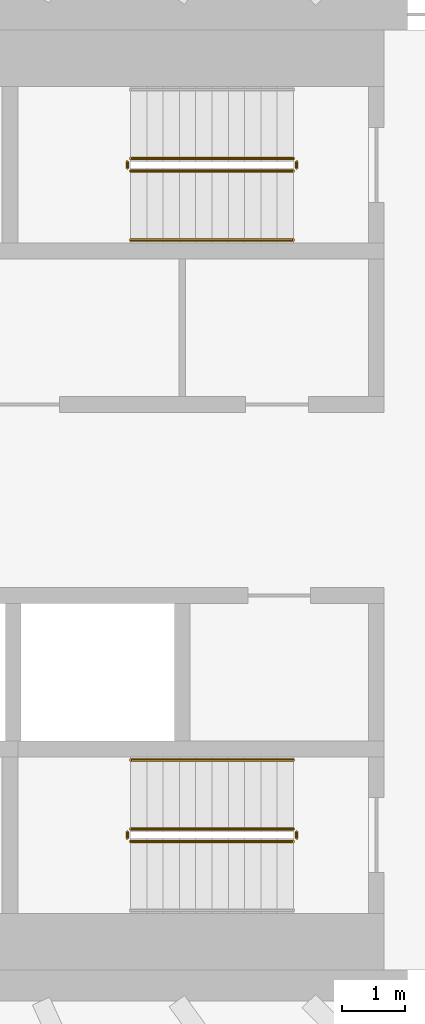
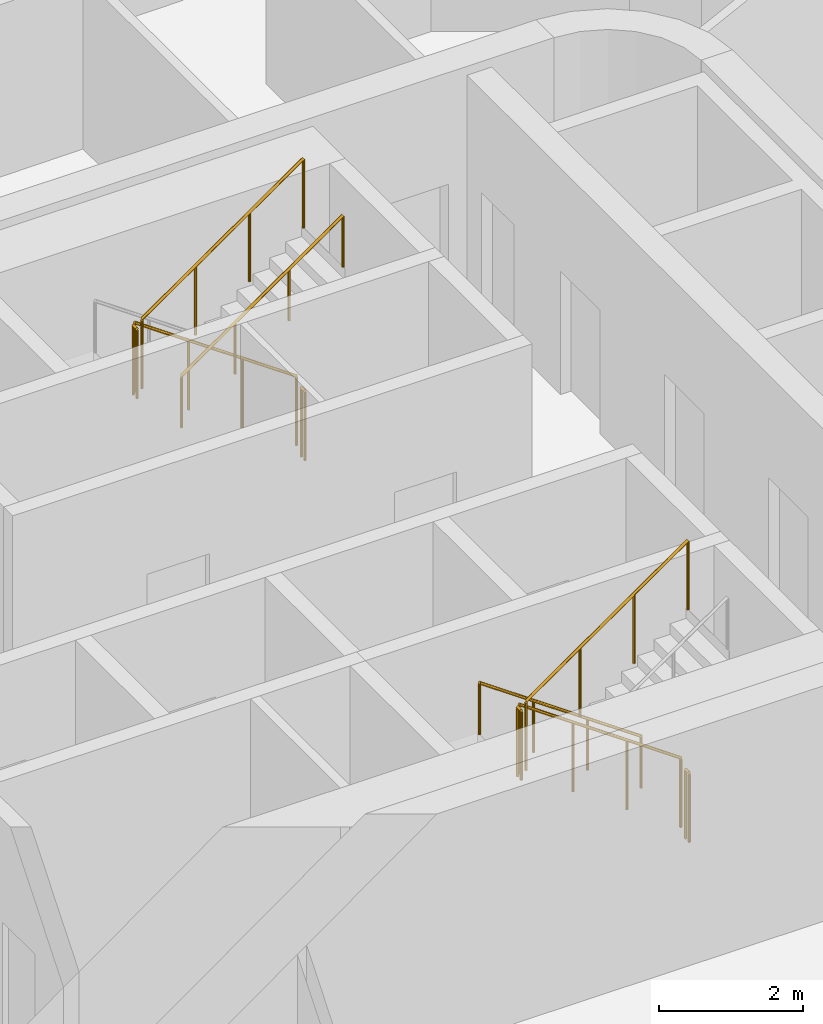
# One storey, part 23 of 25: 10 railings.
"""IFC4 building model written with IfcOpenShell, lengths in metres."""

from ifc_helpers import new_model, si_unit, direction, frame, origin, origin_2d, place, context, subcontext, project, spatial, circle, extrude, material, type_object, element, save


model = new_model("IFC4")

# Units and contexts
model_context = context("Model", 3, precision=1e-05, world=origin(), true_north=direction((0.0, 1.0)))
body_context = subcontext(model_context, "Body", "Model", "MODEL_VIEW")
ifc_project = project(units=[si_unit("LENGTHUNIT", "METRE"), si_unit("AREAUNIT", "SQUARE_METRE"), si_unit("VOLUMEUNIT", "CUBIC_METRE"), si_unit("PLANEANGLEUNIT", "RADIAN"), si_unit("MASSUNIT", "GRAM", prefix="KILO")], contexts=[model_context])

# Site, building, storey
site_placement = place(None, origin())
site = spatial("IfcSite", under=ifc_project, at=site_placement, CompositionType="ELEMENT")
building_placement = place(site_placement, origin())
building = spatial("IfcBuilding", under=site, at=building_placement, Name="Sahrelin Media Tower", CompositionType="ELEMENT")
storey_placement = place(building_placement, frame((0.0, 0.0, 165.60009765625)))
storey = spatial("IfcBuildingStorey", under=building, at=storey_placement, Name="L34", CompositionType="ELEMENT", Elevation=165.60009765625)

# Railings
ifc_material = material(Name="Steel S355", Category="steel")
railing_type_1 = type_object("IfcRailingType", Name="Stair guard 1200", PredefinedType="GUARDRAIL", material=ifc_material)
railing_1_placement = place(storey_placement, frame((7.675048828125, 5.449951171875, 0.181640625)))
element("IfcRailing", 1, at=railing_1_placement, inside=storey, type_object=railing_type_1, Name="L34 ST3 stair guard 1", PredefinedType="GUARDRAIL", context=body_context, shape_type="SweptSolid", body=[
    extrude(circle(Radius=0.02392578125, at=origin_2d()), frame((0.0, 0.0, 1.17578125), z_axis=(-0.819484887739, 0.0, 0.573100792852), x_axis=(0.0, -1.0, 0.0)), (0.0, 0.0, 1.0), 3.1728515625),
    extrude(circle(Radius=0.02099609375, at=origin_2d()), origin(), (0.0, 0.0, 1.0), 1.15185546875),
    extrude(circle(Radius=0.02099609375, at=origin_2d()), frame((-0.86669921875, 0.0, 0.606201171875)), (0.0, 0.0, 1.0), 1.15185546875),
    extrude(circle(Radius=0.02099609375, at=origin_2d()), frame((-1.7333984375, 0.0, 1.212158203125)), (0.0, 0.0, 1.0), 1.15185546875),
    extrude(circle(Radius=0.02099609375, at=origin_2d()), frame((-2.60009765625, 0.0, 1.818359375)), (0.0, 0.0, 1.0), 1.15185546875),
])
railing_2_placement = place(storey_placement, frame((5.02490234375, 5.39990234375, 2.0)))
element("IfcRailing", 2, at=railing_2_placement, inside=storey, type_object=railing_type_1, Name="L34 ST3 stair guard 2", PredefinedType="GUARDRAIL", context=body_context, shape_type="SweptSolid", body=[
    extrude(circle(Radius=0.02392578125, at=origin_2d()), frame((0.0, 0.0, 1.17578125), z_axis=(0.0, -1.0, 0.0), x_axis=(1.0, 0.0, 0.0)), (0.0, 0.0, 1.0), 0.099853515625),
    extrude(circle(Radius=0.02099609375, at=origin_2d()), origin(), (0.0, 0.0, 1.0), 1.15185546875),
    extrude(circle(Radius=0.02099609375, at=origin_2d()), frame((0.0, -0.099853515625, 0.0)), (0.0, 0.0, 1.0), 1.15185546875),
])
railing_3_placement = place(storey_placement, frame((5.074951171875, 5.25, 2.181640625)))
element("IfcRailing", 3, at=railing_3_placement, inside=storey, type_object=railing_type_1, Name="L34 ST3 stair guard 3", PredefinedType="GUARDRAIL", context=body_context, shape_type="SweptSolid", body=[
    extrude(circle(Radius=0.02392578125, at=origin_2d()), frame((0.0, 0.0, 1.17578125), z_axis=(0.819484887739, 0.0, 0.573100792852), x_axis=(0.0, 1.0, 0.0)), (0.0, 0.0, 1.0), 3.1728515625),
    extrude(circle(Radius=0.02099609375, at=origin_2d()), origin(), (0.0, 0.0, 1.0), 1.15185546875),
    extrude(circle(Radius=0.02099609375, at=origin_2d()), frame((0.86669921875, 0.0, 0.606201171875)), (0.0, 0.0, 1.0), 1.15185546875),
    extrude(circle(Radius=0.02099609375, at=origin_2d()), frame((1.7333984375, 0.0, 1.212158203125)), (0.0, 0.0, 1.0), 1.15185546875),
    extrude(circle(Radius=0.02099609375, at=origin_2d()), frame((2.60009765625, 0.0, 1.818359375)), (0.0, 0.0, 1.0), 1.15185546875),
])
railing_4_placement = place(storey_placement, frame((7.72509765625, 5.39990234375, 0.0)))
element("IfcRailing", 4, at=railing_4_placement, inside=storey, type_object=railing_type_1, Name="L34 ST3 stair guard 4", PredefinedType="GUARDRAIL", context=body_context, shape_type="SweptSolid", body=[
    extrude(circle(Radius=0.02392578125, at=origin_2d()), frame((0.0, 0.0, 1.17578125), z_axis=(0.0, -1.0, 0.0), x_axis=(1.0, 0.0, 0.0)), (0.0, 0.0, 1.0), 0.099853515625),
    extrude(circle(Radius=0.02099609375, at=origin_2d()), origin(), (0.0, 0.0, 1.0), 1.15185546875),
    extrude(circle(Radius=0.02099609375, at=origin_2d()), frame((0.0, -0.099853515625, 0.0)), (0.0, 0.0, 1.0), 1.15185546875),
])
railing_5_placement = place(storey_placement, frame((7.675048828125, -5.25, 0.181640625)))
element("IfcRailing", 5, at=railing_5_placement, inside=storey, type_object=railing_type_1, Name="L34 ST2 stair guard 1", PredefinedType="GUARDRAIL", context=body_context, shape_type="SweptSolid", body=[
    extrude(circle(Radius=0.02392578125, at=origin_2d()), frame((0.0, 0.0, 1.17578125), z_axis=(-0.819484887739, 0.0, 0.573100792852), x_axis=(0.0, -1.0, 0.0)), (0.0, 0.0, 1.0), 3.1728515625),
    extrude(circle(Radius=0.02099609375, at=origin_2d()), origin(), (0.0, 0.0, 1.0), 1.15185546875),
    extrude(circle(Radius=0.02099609375, at=origin_2d()), frame((-0.86669921875, 0.0, 0.606201171875)), (0.0, 0.0, 1.0), 1.15185546875),
    extrude(circle(Radius=0.02099609375, at=origin_2d()), frame((-1.7333984375, 0.0, 1.212158203125)), (0.0, 0.0, 1.0), 1.15185546875),
    extrude(circle(Radius=0.02099609375, at=origin_2d()), frame((-2.60009765625, 0.0, 1.818359375)), (0.0, 0.0, 1.0), 1.15185546875),
])
railing_6_placement = place(storey_placement, frame((5.02490234375, -5.300048828125, 2.0)))
element("IfcRailing", 6, at=railing_6_placement, inside=storey, type_object=railing_type_1, Name="L34 ST2 stair guard 2", PredefinedType="GUARDRAIL", context=body_context, shape_type="SweptSolid", body=[
    extrude(circle(Radius=0.02392578125, at=origin_2d()), frame((0.0, 0.0, 1.17578125), z_axis=(0.0, -1.0, 0.0), x_axis=(1.0, 0.0, 0.0)), (0.0, 0.0, 1.0), 0.099853515625),
    extrude(circle(Radius=0.02099609375, at=origin_2d()), origin(), (0.0, 0.0, 1.0), 1.15185546875),
    extrude(circle(Radius=0.02099609375, at=origin_2d()), frame((0.0, -0.099853515625, 0.0)), (0.0, 0.0, 1.0), 1.15185546875),
])
railing_7_placement = place(storey_placement, frame((5.074951171875, -5.449951171875, 2.181640625)))
element("IfcRailing", 7, at=railing_7_placement, inside=storey, type_object=railing_type_1, Name="L34 ST2 stair guard 3", PredefinedType="GUARDRAIL", context=body_context, shape_type="SweptSolid", body=[
    extrude(circle(Radius=0.02392578125, at=origin_2d()), frame((0.0, 0.0, 1.17578125), z_axis=(0.819484887739, 0.0, 0.573100792852), x_axis=(0.0, 1.0, 0.0)), (0.0, 0.0, 1.0), 3.1728515625),
    extrude(circle(Radius=0.02099609375, at=origin_2d()), origin(), (0.0, 0.0, 1.0), 1.15185546875),
    extrude(circle(Radius=0.02099609375, at=origin_2d()), frame((0.86669921875, 0.0, 0.606201171875)), (0.0, 0.0, 1.0), 1.15185546875),
    extrude(circle(Radius=0.02099609375, at=origin_2d()), frame((1.7333984375, 0.0, 1.212158203125)), (0.0, 0.0, 1.0), 1.15185546875),
    extrude(circle(Radius=0.02099609375, at=origin_2d()), frame((2.60009765625, 0.0, 1.818359375)), (0.0, 0.0, 1.0), 1.15185546875),
])
railing_8_placement = place(storey_placement, frame((7.72509765625, -5.300048828125, 0.0)))
element("IfcRailing", 8, at=railing_8_placement, inside=storey, type_object=railing_type_1, Name="L34 ST2 stair guard 4", PredefinedType="GUARDRAIL", context=body_context, shape_type="SweptSolid", body=[
    extrude(circle(Radius=0.02392578125, at=origin_2d()), frame((0.0, 0.0, 1.17578125), z_axis=(0.0, -1.0, 0.0), x_axis=(1.0, 0.0, 0.0)), (0.0, 0.0, 1.0), 0.099853515625),
    extrude(circle(Radius=0.02099609375, at=origin_2d()), origin(), (0.0, 0.0, 1.0), 1.15185546875),
    extrude(circle(Radius=0.02099609375, at=origin_2d()), frame((0.0, -0.099853515625, 0.0)), (0.0, 0.0, 1.0), 1.15185546875),
])
railing_type_2 = type_object("IfcRailingType", Name="Stair handrail 900", PredefinedType="HANDRAIL", material=ifc_material)
railing_9_placement = place(storey_placement, frame((5.074951171875, 4.14990234375, 2.181640625)))
element("IfcRailing", 9, at=railing_9_placement, inside=storey, type_object=railing_type_2, Name="L34 ST3 stair handrail 2", PredefinedType="HANDRAIL", context=body_context, shape_type="SweptSolid", body=[
    extrude(circle(Radius=0.02392578125, at=origin_2d()), frame((0.0, 0.0, 0.8759765625), z_axis=(0.819484887739, 0.0, 0.573100792852), x_axis=(0.0, 1.0, 0.0)), (0.0, 0.0, 1.0), 3.1728515625),
    extrude(circle(Radius=0.02099609375, at=origin_2d()), origin(), (0.0, 0.0, 1.0), 0.851806640625),
    extrude(circle(Radius=0.02099609375, at=origin_2d()), frame((0.86669921875, 0.0, 0.606201171875)), (0.0, 0.0, 1.0), 0.851806640625),
    extrude(circle(Radius=0.02099609375, at=origin_2d()), frame((1.7333984375, 0.0, 1.212158203125)), (0.0, 0.0, 1.0), 0.851806640625),
    extrude(circle(Radius=0.02099609375, at=origin_2d()), frame((2.60009765625, 0.0, 1.818359375)), (0.0, 0.0, 1.0), 0.851806640625),
])
railing_10_placement = place(storey_placement, frame((7.675048828125, -4.14990234375, 0.181640625)))
element("IfcRailing", 10, at=railing_10_placement, inside=storey, type_object=railing_type_2, Name="L34 ST2 stair handrail 1", PredefinedType="HANDRAIL", context=body_context, shape_type="SweptSolid", body=[
    extrude(circle(Radius=0.02392578125, at=origin_2d()), frame((0.0, 0.0, 0.8759765625), z_axis=(-0.819484887739, 0.0, 0.573100792852), x_axis=(0.0, -1.0, 0.0)), (0.0, 0.0, 1.0), 3.1728515625),
    extrude(circle(Radius=0.02099609375, at=origin_2d()), origin(), (0.0, 0.0, 1.0), 0.851806640625),
    extrude(circle(Radius=0.02099609375, at=origin_2d()), frame((-0.86669921875, 0.0, 0.606201171875)), (0.0, 0.0, 1.0), 0.851806640625),
    extrude(circle(Radius=0.02099609375, at=origin_2d()), frame((-1.7333984375, 0.0, 1.212158203125)), (0.0, 0.0, 1.0), 0.851806640625),
    extrude(circle(Radius=0.02099609375, at=origin_2d()), frame((-2.60009765625, 0.0, 1.818359375)), (0.0, 0.0, 1.0), 0.851806640625),
])

save(model, "model.ifc")
